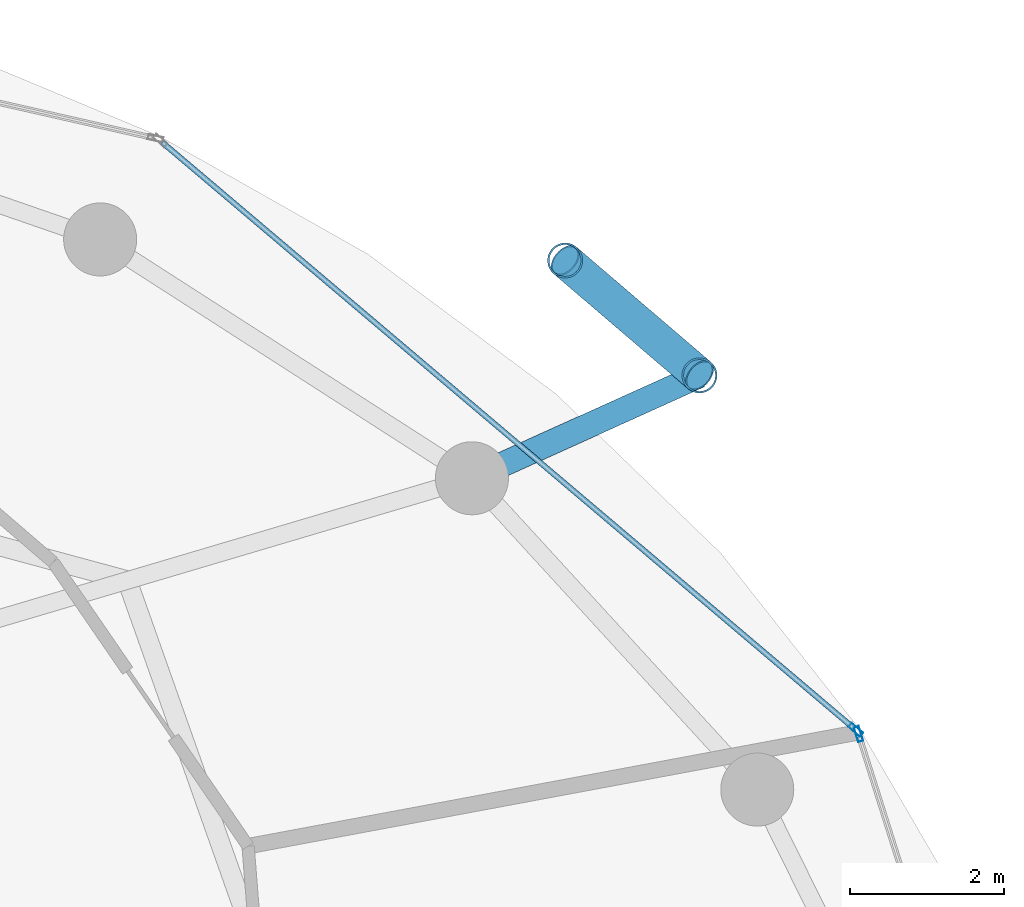
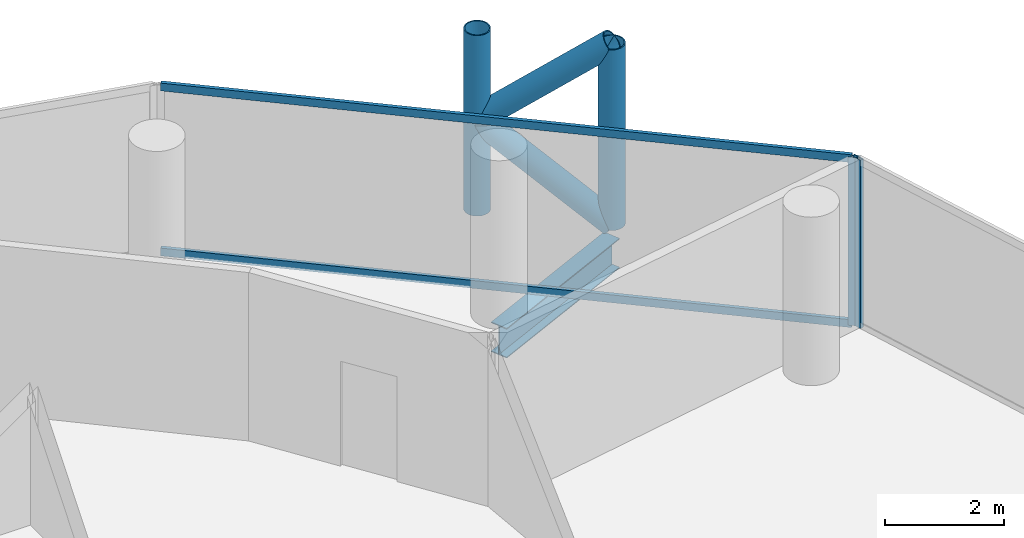
# One storey, part 19 of 26: 8 members, 1 beam, 2 elements without a shape of their own.
"""IFC4 building model written with IfcOpenShell, lengths in metres."""

from ifc_helpers import new_model, si_unit, direction, frame, origin, origin_2d, place, context, subcontext, project, spatial, hollow_rectangle, hollow_circle, i_section, extrude, material, layer, layer_set, material_profile, profile_set, type_object, element, aggregate, save


model = new_model("IFC4")

# Units and contexts
model_context = context("Model", 3, precision=1e-05, world=origin(), true_north=direction((0.0, 1.0)))
body_context = subcontext(model_context, "Body", "Model", "MODEL_VIEW")
ifc_project = project(units=[si_unit("LENGTHUNIT", "METRE"), si_unit("AREAUNIT", "SQUARE_METRE"), si_unit("VOLUMEUNIT", "CUBIC_METRE"), si_unit("PLANEANGLEUNIT", "RADIAN"), si_unit("MASSUNIT", "GRAM", prefix="KILO")], contexts=[model_context])

# Site, building, storey
site_placement = place(None, origin())
site = spatial("IfcSite", under=ifc_project, at=site_placement, CompositionType="ELEMENT")
building_placement = place(site_placement, origin())
building = spatial("IfcBuilding", under=site, at=building_placement, Name="Nuhasar Tower", CompositionType="ELEMENT")
storey_placement = place(building_placement, frame((0.0, 0.0, 162.64990234375)))
storey = spatial("IfcBuildingStorey", under=building, at=storey_placement, Name="L39", CompositionType="ELEMENT", Elevation=162.64990234375)

# Beam
ifc_material_1 = material(Name="Steel S355", Category="steel")
ifc_material_profile_1 = material_profile(ifc_material_1, i_section(OverallWidth=0.323974609375, OverallDepth=0.611083984375, WebThickness=0.0126953125, FlangeThickness=0.01904296875, at=origin_2d()), Name="W24X104")
ifc_profile_set_1 = profile_set([ifc_material_profile_1], Name="Steel S355")
beam_type = type_object("IfcBeamType", Name="BM-TIE-W24X104", PredefinedType="BEAM", material=ifc_profile_set_1)
beam_placement = place(storey_placement, frame((55.510986328125, 40.6240234375, -0.554931640625), z_axis=(0.911239591969, 0.411876687891, 0.0), x_axis=(-0.411876687891, 0.911239591969, 0.0)))
element("IfcBeam", 1, at=beam_placement, inside=storey, type_object=beam_type, Name="L39 Exoskeleton Node Tie Beam 02", PredefinedType="BEAM", context=body_context, shape_type="SweptSolid", body=[
    extrude(i_section(OverallWidth=0.323974609375, OverallDepth=0.611083984375, WebThickness=0.0126953125, FlangeThickness=0.01904296875, at=origin_2d()), origin(), (0.0, 0.0, 1.0), 3.248291015625),
])

# Curtain wall, member
ifc_material_2 = material(Name="Aluminium 6063-T6", Category="aluminium")
ifc_layer = layer(ifc_material_2, 0.199951171875)
ifc_layer_set = layer_set([ifc_layer], Name="Aluminium 6063-T6")
curtain_wall_type = type_object("IfcCurtainWallType", Name="CW-Z2-HTL", PredefinedType="NOTDEFINED", material=ifc_layer_set)
curtain_wall_1_placement = place(storey_placement, origin())
curtain_wall_1 = element("IfcCurtainWall", 2, at=curtain_wall_1_placement, inside=storey, type_object=curtain_wall_type, Name="L39 Unitised Curtain Wall 01", PredefinedType="NOTDEFINED")
ifc_material_profile_2 = material_profile(ifc_material_2, hollow_rectangle(XDim=0.070068359375, YDim=0.199951171875, WallThickness=0.0048828125, at=origin_2d()), Name="CWM-3")
ifc_profile_set_2 = profile_set([ifc_material_profile_2], Name="Aluminium 6063-T6")
member_type_1 = type_object("IfcMemberType", Name="CW-MUL-S3", PredefinedType="MULLION", material=ifc_profile_set_2)
member_1_placement = place(storey_placement, frame((60.53955078125, 37.296630859375, 0.0), z_axis=(0.0, 0.0, 1.0), x_axis=(-0.953433389233, -0.301603667577, 0.0)))
member_1 = element("IfcMember", 3, at=member_1_placement, type_object=member_type_1, Name="CW-Z2 mullion 2", PredefinedType="MULLION", context=body_context, shape_type="SweptSolid", body=[
    extrude(hollow_rectangle(XDim=0.070068359375, YDim=0.199951171875, WallThickness=0.0048828125, at=origin_2d()), origin(), (0.0, 0.0, 1.0), 3.4501953125),
])
aggregate(curtain_wall_1, [member_1])

# Curtain wall, members
curtain_wall_2_placement = place(storey_placement, origin())
curtain_wall_2 = element("IfcCurtainWall", 4, at=curtain_wall_2_placement, inside=storey, type_object=curtain_wall_type, Name="L39 Unitised Curtain Wall 02", PredefinedType="NOTDEFINED")
member_2_placement = place(storey_placement, frame((60.502197265625, 37.3525390625, 0.0), z_axis=(0.0, 0.0, 1.0), x_axis=(-0.646374438324, -0.763020370292, 0.0)))
member_2 = element("IfcMember", 5, at=member_2_placement, type_object=member_type_1, Name="CW-Z2 mullion 1", PredefinedType="MULLION", context=body_context, shape_type="SweptSolid", body=[
    extrude(hollow_rectangle(XDim=0.070068359375, YDim=0.199951171875, WallThickness=0.0048828125, at=origin_2d()), origin(), (0.0, 0.0, 1.0), 3.4501953125),
])
ifc_material_profile_3 = material_profile(ifc_material_2, hollow_rectangle(XDim=0.070068359375, YDim=0.159912109375, WallThickness=0.00439453125, at=origin_2d()), Name="CWT-3")
ifc_profile_set_3 = profile_set([ifc_material_profile_3], Name="Aluminium 6063-T6")
member_type_2 = type_object("IfcMemberType", Name="CW-TRN-S3", PredefinedType="USERDEFINED", material=ifc_profile_set_3)
member_3_placement = place(storey_placement, frame((60.4755859375, 37.375244140625, 0.03515625), z_axis=(-0.763023915269, 0.646370253592, 0.0), x_axis=(-0.646370253592, -0.763023915269, 0.0)))
member_3 = element("IfcMember", 6, at=member_3_placement, type_object=member_type_2, Name="CW-Z2 transom 1.1", ObjectType="TRANSOM", PredefinedType="USERDEFINED", context=body_context, shape_type="SweptSolid", body=[
    extrude(hollow_rectangle(XDim=0.070068359375, YDim=0.159912109375, WallThickness=0.00439453125, at=origin_2d()), origin(), (0.0, 0.0, 1.0), 11.784912109375),
])
member_4_placement = place(storey_placement, frame((60.4755859375, 37.375244140625, 3.4150390625), z_axis=(-0.763023915269, 0.646370253592, 0.0), x_axis=(-0.646370253592, -0.763023915269, 0.0)))
member_4 = element("IfcMember", 7, at=member_4_placement, type_object=member_type_2, Name="CW-Z2 transom 1.2", ObjectType="TRANSOM", PredefinedType="USERDEFINED", context=body_context, shape_type="SweptSolid", body=[
    extrude(hollow_rectangle(XDim=0.070068359375, YDim=0.159912109375, WallThickness=0.00439453125, at=origin_2d()), origin(), (0.0, 0.0, 1.0), 11.784912109375),
])
aggregate(curtain_wall_2, [member_2, member_3, member_4])

# Members
ifc_material_3 = material(Name="Steel S460", Category="steel")
ifc_material_profile_4 = material_profile(ifc_material_3, hollow_circle(Radius=0.228515625, WallThickness=0.022216796875, at=origin_2d()), Name="HSS457X22.2")
ifc_profile_set_4 = profile_set([ifc_material_profile_4], Name="Steel S460")
member_type_3 = type_object("IfcMemberType", Name="EXO-BRONZE-457", PredefinedType="BRACE", material=ifc_profile_set_4)
for number, where, z_axis, x_axis, name in (
    (8, (58.470947265625, 41.9619140625, 0.0), (0.0, 0.0, 1.0), (1.0, 0.0, 0.0), "L39 Exoskeleton Chord Column EC-02A"),
    (9, (56.722900390625, 43.45703125, 0.0), (0.0, 0.0, 1.0), (1.0, 0.0, 0.0), "L39 Exoskeleton Chord Column EC-02B"),
):
    element("IfcMember", number, at=place(storey_placement, frame(where, z_axis=z_axis, x_axis=x_axis)), inside=storey, type_object=member_type_3, Name=name, PredefinedType="BRACE", context=body_context, shape_type="SweptSolid", body=[
        extrude(hollow_circle(Radius=0.228515625, WallThickness=0.022216796875, at=origin_2d()), origin(), (0.0, 0.0, 1.0), 3.7001953125),
    ])
for number, where, z_axis, x_axis, name in (
    (10, (58.470947265625, 41.9619140625, 0.0), (-0.592170370358, 0.506487618445, 0.626741210415), (-0.649986859795, -0.759945446788, 0.0), "L39 Bronze Diagrid Brace W1-02"),
    (11, (56.722900390625, 43.45703125, 1.85009765625), (0.592170370358, -0.506487618445, 0.626741210415), (0.649986859795, 0.759945446788, 0.0), "L39 Bronze Diagrid Brace W2-02"),
):
    element("IfcMember", number, at=place(storey_placement, frame(where, z_axis=z_axis, x_axis=x_axis)), inside=storey, type_object=member_type_3, Name=name, PredefinedType="BRACE", context=body_context, shape_type="SweptSolid", body=[
        extrude(hollow_circle(Radius=0.228515625, WallThickness=0.022216796875, at=origin_2d()), origin(), (0.0, 0.0, 1.0), 2.951904296875),
    ])

save(model, "model.ifc")
